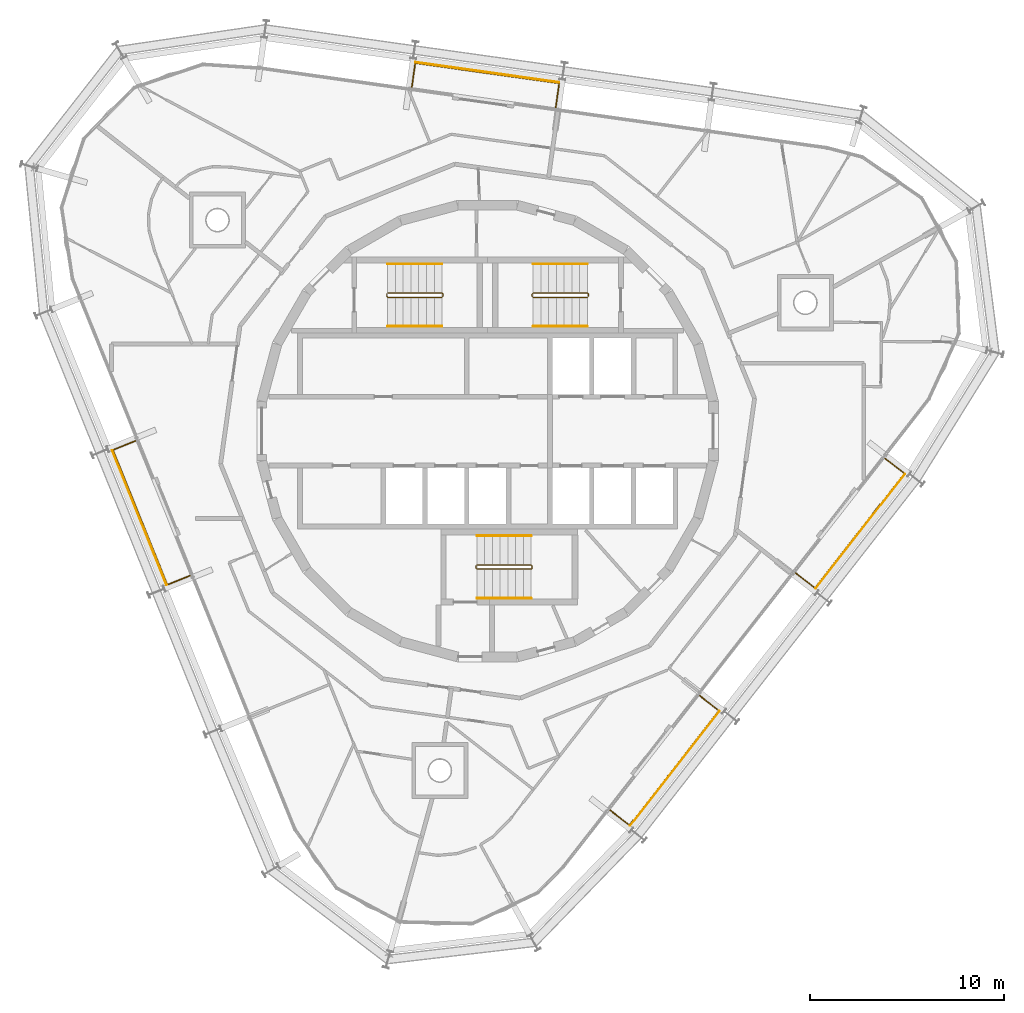
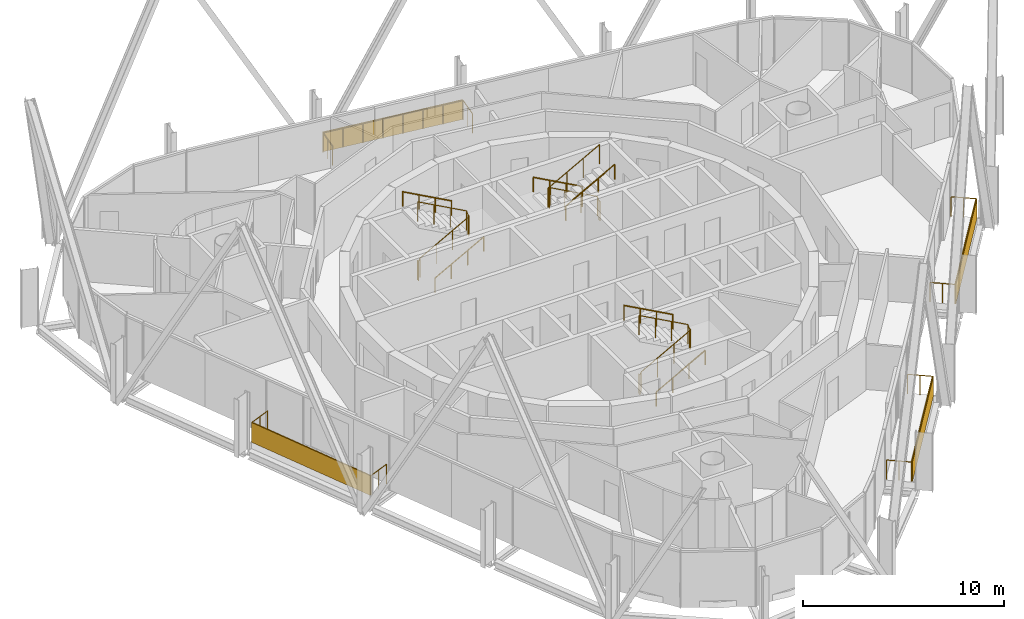
# One storey, part 15 of 15: 13 railings, 4 shading devices.
"""IFC4 building model written with IfcOpenShell, lengths in metres."""

from ifc_helpers import new_model, si_unit, direction, frame, origin, origin_2d, place, context, subcontext, project, spatial, rectangle, circle, extrude, material, layer, layer_set, type_object, element, save


model = new_model("IFC4")

# Units and contexts
model_context = context("Model", 3, precision=1e-05, world=origin(), true_north=direction((0.0, 1.0)))
body_context = subcontext(model_context, "Body", "Model", "MODEL_VIEW")
ifc_project = project(units=[si_unit("LENGTHUNIT", "METRE"), si_unit("AREAUNIT", "SQUARE_METRE"), si_unit("VOLUMEUNIT", "CUBIC_METRE"), si_unit("PLANEANGLEUNIT", "RADIAN"), si_unit("MASSUNIT", "GRAM", prefix="KILO")], contexts=[model_context])

# Site, building, storey
site_placement = place(None, origin())
site = spatial("IfcSite", under=ifc_project, at=site_placement, CompositionType="ELEMENT")
building_placement = place(site_placement, origin())
building = spatial("IfcBuilding", under=site, at=building_placement, Name="Spindle Arch Residences", CompositionType="ELEMENT")
storey_placement = place(building_placement, frame((0.0, 0.0, 347.0)))
storey = spatial("IfcBuildingStorey", under=building, at=storey_placement, Name="L89", CompositionType="ELEMENT", Elevation=347.0)

# Railings
ifc_material_1 = material(Name="Bronze anodised aluminium guard with glass infill", Category="aluminium")
railing_type_1 = type_object("IfcRailingType", Name="Balcony guard 1200", PredefinedType="GUARDRAIL", material=ifc_material_1)
railing_1_placement = place(storey_placement, frame((15.89208984375, -7.317626953125, 0.0)))
element("IfcRailing", 1, at=railing_1_placement, inside=storey, type_object=railing_type_1, Name="Guard L89 bay 1", PredefinedType="GUARDRAIL", context=body_context, shape_type="SweptSolid", body=[
    extrude(circle(Radius=0.02392578125, at=origin_2d()), frame((0.0, 0.0, 1.17578125), z_axis=(0.788056943247, -0.61560235071, 0.0), x_axis=(0.61560235071, 0.788056943247, 0.0)), (0.0, 0.0, 1.0), 1.25),
    extrude(circle(Radius=0.02392578125, at=origin_2d()), frame((0.985107421875, -0.76953125, 1.17578125), z_axis=(0.615668692597, 0.788005114803, 0.0), x_axis=(-0.788005114803, 0.615668692597, 0.0)), (0.0, 0.0, 1.0), 7.49560546875),
    extrude(circle(Radius=0.02392578125, at=origin_2d()), frame((5.599853515625, 5.136962890625, 1.17578125), z_axis=(-0.788056943247, 0.61560235071, 0.0), x_axis=(-0.61560235071, -0.788056943247, 0.0)), (0.0, 0.0, 1.0), 1.25),
    extrude(circle(Radius=0.02099609375, at=origin_2d()), origin(), (0.0, 0.0, 1.0), 1.15185546875),
    extrude(circle(Radius=0.02099609375, at=origin_2d()), frame((0.49267578125, -0.384765625, 0.0)), (0.0, 0.0, 1.0), 1.15185546875),
    extrude(circle(Radius=0.02099609375, at=origin_2d()), frame((0.985107421875, -0.76953125, 0.0)), (0.0, 0.0, 1.0), 1.15185546875),
    extrude(circle(Radius=0.02099609375, at=origin_2d()), frame((1.644287109375, 0.07421875, 0.0)), (0.0, 0.0, 1.0), 1.15185546875),
    extrude(circle(Radius=0.02099609375, at=origin_2d()), frame((2.3037109375, 0.91796875, 0.0)), (0.0, 0.0, 1.0), 1.15185546875),
    extrude(circle(Radius=0.02099609375, at=origin_2d()), frame((2.962890625, 1.76171875, 0.0)), (0.0, 0.0, 1.0), 1.15185546875),
    extrude(circle(Radius=0.02099609375, at=origin_2d()), frame((3.6220703125, 2.605712890625, 0.0)), (0.0, 0.0, 1.0), 1.15185546875),
    extrude(circle(Radius=0.02099609375, at=origin_2d()), frame((4.28125, 3.449462890625, 0.0)), (0.0, 0.0, 1.0), 1.15185546875),
    extrude(circle(Radius=0.02099609375, at=origin_2d()), frame((4.940673828125, 4.293212890625, 0.0)), (0.0, 0.0, 1.0), 1.15185546875),
    extrude(circle(Radius=0.02099609375, at=origin_2d()), frame((5.599853515625, 5.136962890625, 0.0)), (0.0, 0.0, 1.0), 1.15185546875),
    extrude(circle(Radius=0.02099609375, at=origin_2d()), frame((5.107421875, 5.521728515625, 0.0)), (0.0, 0.0, 1.0), 1.15185546875),
    extrude(circle(Radius=0.02099609375, at=origin_2d()), frame((4.61474609375, 5.906494140625, 0.0)), (0.0, 0.0, 1.0), 1.15185546875),
])
railing_2_placement = place(storey_placement, frame((3.517822265625, 16.701416015625, 0.0)))
element("IfcRailing", 2, at=railing_2_placement, inside=storey, type_object=railing_type_1, Name="Guard L89 bay 7", PredefinedType="GUARDRAIL", context=body_context, shape_type="SweptSolid", body=[
    extrude(circle(Radius=0.02392578125, at=origin_2d()), frame((0.0, 0.0, 1.17578125), z_axis=(0.139260816682, 0.990255737139, 0.0), x_axis=(-0.990255737139, 0.139260816682, 0.0)), (0.0, 0.0, 1.0), 1.25),
    extrude(circle(Radius=0.02392578125, at=origin_2d()), frame((0.174072265625, 1.23779296875, 1.17578125), z_axis=(-0.990267453735, 0.139177476887, 0.0), x_axis=(-0.139177476887, -0.990267453735, 0.0)), (0.0, 0.0, 1.0), 7.49560546875),
    extrude(circle(Radius=0.02392578125, at=origin_2d()), frame((-7.24853515625, 2.281005859375, 1.17578125), z_axis=(-0.139260816682, -0.990255737139, 0.0), x_axis=(0.990255737139, -0.139260816682, 0.0)), (0.0, 0.0, 1.0), 1.25),
    extrude(circle(Radius=0.02099609375, at=origin_2d()), origin(), (0.0, 0.0, 1.0), 1.15185546875),
    extrude(circle(Radius=0.02099609375, at=origin_2d()), frame((0.0869140625, 0.618896484375, 0.0)), (0.0, 0.0, 1.0), 1.15185546875),
    extrude(circle(Radius=0.02099609375, at=origin_2d()), frame((0.174072265625, 1.23779296875, 0.0)), (0.0, 0.0, 1.0), 1.15185546875),
    extrude(circle(Radius=0.02099609375, at=origin_2d()), frame((-0.88623046875, 1.38671875, 0.0)), (0.0, 0.0, 1.0), 1.15185546875),
    extrude(circle(Radius=0.02099609375, at=origin_2d()), frame((-1.94677734375, 1.535888671875, 0.0)), (0.0, 0.0, 1.0), 1.15185546875),
    extrude(circle(Radius=0.02099609375, at=origin_2d()), frame((-3.007080078125, 1.684814453125, 0.0)), (0.0, 0.0, 1.0), 1.15185546875),
    extrude(circle(Radius=0.02099609375, at=origin_2d()), frame((-4.0673828125, 1.833984375, 0.0)), (0.0, 0.0, 1.0), 1.15185546875),
    extrude(circle(Radius=0.02099609375, at=origin_2d()), frame((-5.127685546875, 1.98291015625, 0.0)), (0.0, 0.0, 1.0), 1.15185546875),
    extrude(circle(Radius=0.02099609375, at=origin_2d()), frame((-6.188232421875, 2.132080078125, 0.0)), (0.0, 0.0, 1.0), 1.15185546875),
    extrude(circle(Radius=0.02099609375, at=origin_2d()), frame((-7.24853515625, 2.281005859375, 0.0)), (0.0, 0.0, 1.0), 1.15185546875),
    extrude(circle(Radius=0.02099609375, at=origin_2d()), frame((-7.33544921875, 1.662109375, 0.0)), (0.0, 0.0, 1.0), 1.15185546875),
    extrude(circle(Radius=0.02099609375, at=origin_2d()), frame((-7.422607421875, 1.043212890625, 0.0)), (0.0, 0.0, 1.0), 1.15185546875),
])
railing_3_placement = place(storey_placement, frame((-18.162109375, -0.50390625, 0.0)))
element("IfcRailing", 3, at=railing_3_placement, inside=storey, type_object=railing_type_1, Name="Guard L89 bay 13", PredefinedType="GUARDRAIL", context=body_context, shape_type="SweptSolid", body=[
    extrude(circle(Radius=0.02392578125, at=origin_2d()), frame((0.0, 0.0, 1.17578125), z_axis=(-0.927177918056, -0.374621286461, 0.0), x_axis=(0.374621286461, -0.927177918056, 0.0)), (0.0, 0.0, 1.0), 1.25),
    extrude(circle(Radius=0.02392578125, at=origin_2d()), frame((-1.158935546875, -0.46826171875, 1.17578125), z_axis=(0.374594985402, -0.927188544424, 0.0), x_axis=(0.927188544424, 0.374594985402, 0.0)), (0.0, 0.0, 1.0), 7.49560546875),
    extrude(circle(Radius=0.02392578125, at=origin_2d()), frame((1.64892578125, -7.418212890625, 1.17578125), z_axis=(0.927177918056, 0.374621286461, 0.0), x_axis=(-0.374621286461, 0.927177918056, 0.0)), (0.0, 0.0, 1.0), 1.25),
    extrude(circle(Radius=0.02099609375, at=origin_2d()), origin(), (0.0, 0.0, 1.0), 1.15185546875),
    extrude(circle(Radius=0.02099609375, at=origin_2d()), frame((-0.57958984375, -0.234130859375, 0.0)), (0.0, 0.0, 1.0), 1.15185546875),
    extrude(circle(Radius=0.02099609375, at=origin_2d()), frame((-1.158935546875, -0.46826171875, 0.0)), (0.0, 0.0, 1.0), 1.15185546875),
    extrude(circle(Radius=0.02099609375, at=origin_2d()), frame((-0.7578125, -1.461181640625, 0.0)), (0.0, 0.0, 1.0), 1.15185546875),
    extrude(circle(Radius=0.02099609375, at=origin_2d()), frame((-0.356689453125, -2.453857421875, 0.0)), (0.0, 0.0, 1.0), 1.15185546875),
    extrude(circle(Radius=0.02099609375, at=origin_2d()), frame((0.04443359375, -3.44677734375, 0.0)), (0.0, 0.0, 1.0), 1.15185546875),
    extrude(circle(Radius=0.02099609375, at=origin_2d()), frame((0.445556640625, -4.439697265625, 0.0)), (0.0, 0.0, 1.0), 1.15185546875),
    extrude(circle(Radius=0.02099609375, at=origin_2d()), frame((0.8466796875, -5.4326171875, 0.0)), (0.0, 0.0, 1.0), 1.15185546875),
    extrude(circle(Radius=0.02099609375, at=origin_2d()), frame((1.247802734375, -6.42529296875, 0.0)), (0.0, 0.0, 1.0), 1.15185546875),
    extrude(circle(Radius=0.02099609375, at=origin_2d()), frame((1.64892578125, -7.418212890625, 0.0)), (0.0, 0.0, 1.0), 1.15185546875),
    extrude(circle(Radius=0.02099609375, at=origin_2d()), frame((2.228515625, -7.18408203125, 0.0)), (0.0, 0.0, 1.0), 1.15185546875),
    extrude(circle(Radius=0.02099609375, at=origin_2d()), frame((2.807861328125, -6.949951171875, 0.0)), (0.0, 0.0, 1.0), 1.15185546875),
])
railing_4_placement = place(storey_placement, frame((6.330322265625, -19.556396484375, 0.0)))
element("IfcRailing", 4, at=railing_4_placement, inside=storey, type_object=railing_type_1, Name="Guard L89 bay 19", PredefinedType="GUARDRAIL", context=body_context, shape_type="SweptSolid", body=[
    extrude(circle(Radius=0.02392578125, at=origin_2d()), frame((0.0, 0.0, 1.17578125), z_axis=(0.787982912033, -0.615697109254, 0.0), x_axis=(0.615697109254, 0.787982912033, 0.0)), (0.0, 0.0, 1.0), 1.249755859375),
    extrude(circle(Radius=0.02392578125, at=origin_2d()), frame((0.98486328125, -0.76953125, 1.17578125), z_axis=(0.615668692597, 0.788005114803, 0.0), x_axis=(-0.788005114803, 0.615668692597, 0.0)), (0.0, 0.0, 1.0), 7.49560546875),
    extrude(circle(Radius=0.02392578125, at=origin_2d()), frame((5.599609375, 5.136962890625, 1.17578125), z_axis=(-0.787982912033, 0.615697109254, 0.0), x_axis=(-0.615697109254, -0.787982912033, 0.0)), (0.0, 0.0, 1.0), 1.249755859375),
    extrude(circle(Radius=0.02099609375, at=origin_2d()), origin(), (0.0, 0.0, 1.0), 1.15185546875),
    extrude(circle(Radius=0.02099609375, at=origin_2d()), frame((0.492431640625, -0.384765625, 0.0)), (0.0, 0.0, 1.0), 1.15185546875),
    extrude(circle(Radius=0.02099609375, at=origin_2d()), frame((0.98486328125, -0.76953125, 0.0)), (0.0, 0.0, 1.0), 1.15185546875),
    extrude(circle(Radius=0.02099609375, at=origin_2d()), frame((1.64404296875, 0.07421875, 0.0)), (0.0, 0.0, 1.0), 1.15185546875),
    extrude(circle(Radius=0.02099609375, at=origin_2d()), frame((2.303466796875, 0.91796875, 0.0)), (0.0, 0.0, 1.0), 1.15185546875),
    extrude(circle(Radius=0.02099609375, at=origin_2d()), frame((2.962646484375, 1.76171875, 0.0)), (0.0, 0.0, 1.0), 1.15185546875),
    extrude(circle(Radius=0.02099609375, at=origin_2d()), frame((3.621826171875, 2.605712890625, 0.0)), (0.0, 0.0, 1.0), 1.15185546875),
    extrude(circle(Radius=0.02099609375, at=origin_2d()), frame((4.281005859375, 3.449462890625, 0.0)), (0.0, 0.0, 1.0), 1.15185546875),
    extrude(circle(Radius=0.02099609375, at=origin_2d()), frame((4.9404296875, 4.293212890625, 0.0)), (0.0, 0.0, 1.0), 1.15185546875),
    extrude(circle(Radius=0.02099609375, at=origin_2d()), frame((5.599609375, 5.136962890625, 0.0)), (0.0, 0.0, 1.0), 1.15185546875),
    extrude(circle(Radius=0.02099609375, at=origin_2d()), frame((5.107177734375, 5.521728515625, 0.0)), (0.0, 0.0, 1.0), 1.15185546875),
    extrude(circle(Radius=0.02099609375, at=origin_2d()), frame((4.61474609375, 5.906494140625, 0.0)), (0.0, 0.0, 1.0), 1.15185546875),
])

# Shading devices
ifc_material_2 = material(Name="Bronze perforated cobogo screen")
ifc_layer = layer(ifc_material_2, 0.0390625)
ifc_layer_set = layer_set([ifc_layer], Name="Cobogo screen 1200")
shading_device_type = type_object("IfcShadingDeviceType", Name="Cobogo screen 1200", PredefinedType="USERDEFINED", material=ifc_layer_set)
for number, where, z_axis, x_axis, name in (
    (5, (19.216552734375, -5.158935546875, 0.0), (0.0, 0.0, 1.0), (0.615661475326, 0.788010753607, 0.0), "Cobogo screen L89 bay 1"),
    (6, (-0.013916015625, 18.5009765625, 0.0), (0.0, 0.0, 1.0), (-0.990268068742, 0.13917310096, 0.0), "Cobogo screen L89 bay 7"),
    (7, (-17.95458984375, -4.46240234375, 0.0), (0.0, 0.0, 1.0), (0.374606593416, -0.927183854567, 0.0), "Cobogo screen L89 bay 13"),
    (8, (9.654541015625, -17.397705078125, 0.0), (0.0, 0.0, 1.0), (0.615661475326, 0.788010753607, 0.0), "Cobogo screen L89 bay 19"),
):
    element("IfcShadingDevice", number, at=place(storey_placement, frame(where, z_axis=z_axis, x_axis=x_axis)), inside=storey, type_object=shading_device_type, Name=name, ObjectType="SCREEN", PredefinedType="USERDEFINED", context=body_context, shape_type="SweptSolid", body=[
        extrude(rectangle(XDim=7.49560546875, YDim=0.0390625, at=origin_2d()), origin(), (0.0, 0.0, 1.0), 1.199951171875),
    ])

# Railings
ifc_material_3 = material(Name="Steel, painted", Category="steel")
railing_type_2 = type_object("IfcRailingType", Name="Stair guard 1100", PredefinedType="GUARDRAIL", material=ifc_material_3)
railing_5_placement = place(storey_placement, frame((5.14990234375, 6.89990234375, 3.5)))
element("IfcRailing", 9, at=railing_5_placement, inside=storey, type_object=railing_type_2, Name="L89 ST1 stair guard 1", PredefinedType="GUARDRAIL", context=body_context, shape_type="SweptSolid", body=[
    extrude(circle(Radius=0.02392578125, at=origin_2d()), frame((0.0, 0.0, 1.17578125), z_axis=(-0.877357048833, 0.0, -0.479838106931), x_axis=(0.0, -1.0, 0.0)), (0.0, 0.0, 1.0), 3.191162109375),
    extrude(circle(Radius=0.02392578125, at=origin_2d()), frame((-2.7998046875, 0.0, -0.35546875), z_axis=(-0.217683172539, 0.217683172539, -0.951434744366), x_axis=(-0.707106781187, -0.707106781187, 0.0)), (0.0, 0.0, 1.0), 0.22998046875),
    extrude(circle(Radius=0.02392578125, at=origin_2d()), frame((-2.849853515625, 0.050048828125, -0.57421875), z_axis=(0.0, 1.0, 0.0), x_axis=(-1.0, 0.0, 0.0)), (0.0, 0.0, 1.0), 0.1201171875),
    extrude(circle(Radius=0.02392578125, at=origin_2d()), frame((-2.849853515625, 0.170166015625, -0.57421875), z_axis=(0.707106781187, 0.707106781187, 0.0), x_axis=(-0.707106781187, 0.707106781187, 0.0)), (0.0, 0.0, 1.0), 0.07080078125),
    extrude(circle(Radius=0.02392578125, at=origin_2d()), frame((-2.7998046875, 0.22021484375, -0.57421875), z_axis=(0.877357048833, 0.0, -0.479838106931), x_axis=(0.0, 1.0, 0.0)), (0.0, 0.0, 1.0), 3.191162109375),
    extrude(circle(Radius=0.02392578125, at=origin_2d()), frame((0.0, 0.22021484375, -2.10546875), z_axis=(0.217683172539, -0.217683172539, -0.951434744366), x_axis=(0.707106781187, 0.707106781187, 0.0)), (0.0, 0.0, 1.0), 0.22998046875),
    extrude(circle(Radius=0.02392578125, at=origin_2d()), frame((0.050048828125, 0.170166015625, -2.32421875), z_axis=(0.0, -1.0, 0.0), x_axis=(1.0, 0.0, 0.0)), (0.0, 0.0, 1.0), 0.1201171875),
    extrude(circle(Radius=0.02099609375, at=origin_2d()), origin(), (0.0, 0.0, 1.0), 1.15185546875),
    extrude(circle(Radius=0.02099609375, at=origin_2d()), frame((-0.933349609375, 0.0, -0.510498046875)), (0.0, 0.0, 1.0), 1.15185546875),
    extrude(circle(Radius=0.02099609375, at=origin_2d()), frame((-1.866455078125, 0.0, -1.020751953125)), (0.0, 0.0, 1.0), 1.15185546875),
    extrude(circle(Radius=0.02099609375, at=origin_2d()), frame((-2.7998046875, 0.0, -1.53125)), (0.0, 0.0, 1.0), 1.15185546875),
    extrude(circle(Radius=0.02099609375, at=origin_2d()), frame((-2.849853515625, 0.050048828125, -1.75)), (0.0, 0.0, 1.0), 1.15185546875),
    extrude(circle(Radius=0.02099609375, at=origin_2d()), frame((-2.849853515625, 0.170166015625, -1.75)), (0.0, 0.0, 1.0), 1.15185546875),
    extrude(circle(Radius=0.02099609375, at=origin_2d()), frame((-2.7998046875, 0.22021484375, -1.75)), (0.0, 0.0, 1.0), 1.15185546875),
    extrude(circle(Radius=0.02099609375, at=origin_2d()), frame((-1.866455078125, 0.22021484375, -2.260498046875)), (0.0, 0.0, 1.0), 1.15185546875),
    extrude(circle(Radius=0.02099609375, at=origin_2d()), frame((-0.933349609375, 0.22021484375, -2.770751953125)), (0.0, 0.0, 1.0), 1.15185546875),
    extrude(circle(Radius=0.02099609375, at=origin_2d()), frame((0.0, 0.22021484375, -3.28125)), (0.0, 0.0, 1.0), 1.15185546875),
    extrude(circle(Radius=0.02099609375, at=origin_2d()), frame((0.050048828125, 0.170166015625, -3.5)), (0.0, 0.0, 1.0), 1.15185546875),
    extrude(circle(Radius=0.02099609375, at=origin_2d()), frame((0.050048828125, 0.050048828125, -3.5)), (0.0, 0.0, 1.0), 1.15185546875),
])
railing_6_placement = place(storey_placement, frame((-5.14990234375, 7.1201171875, 3.5)))
element("IfcRailing", 10, at=railing_6_placement, inside=storey, type_object=railing_type_2, Name="L89 ST2 stair guard 1", PredefinedType="GUARDRAIL", context=body_context, shape_type="SweptSolid", body=[
    extrude(circle(Radius=0.02392578125, at=origin_2d()), frame((0.0, 0.0, 1.17578125), z_axis=(0.877357048833, 0.0, -0.479838106931), x_axis=(0.0, 1.0, 0.0)), (0.0, 0.0, 1.0), 3.191162109375),
    extrude(circle(Radius=0.02392578125, at=origin_2d()), frame((2.7998046875, 0.0, -0.35546875), z_axis=(0.217683172539, -0.217683172539, -0.951434744366), x_axis=(0.707106781187, 0.707106781187, 0.0)), (0.0, 0.0, 1.0), 0.22998046875),
    extrude(circle(Radius=0.02392578125, at=origin_2d()), frame((2.849853515625, -0.050048828125, -0.57421875), z_axis=(0.0, -1.0, 0.0), x_axis=(1.0, 0.0, 0.0)), (0.0, 0.0, 1.0), 0.1201171875),
    extrude(circle(Radius=0.02392578125, at=origin_2d()), frame((2.849853515625, -0.170166015625, -0.57421875), z_axis=(-0.707106781187, -0.707106781187, 0.0), x_axis=(0.707106781187, -0.707106781187, 0.0)), (0.0, 0.0, 1.0), 0.07080078125),
    extrude(circle(Radius=0.02392578125, at=origin_2d()), frame((2.7998046875, -0.22021484375, -0.57421875), z_axis=(-0.877357048833, 0.0, -0.479838106931), x_axis=(0.0, -1.0, 0.0)), (0.0, 0.0, 1.0), 3.191162109375),
    extrude(circle(Radius=0.02392578125, at=origin_2d()), frame((0.0, -0.22021484375, -2.10546875), z_axis=(-0.217683172539, 0.217683172539, -0.951434744366), x_axis=(-0.707106781187, -0.707106781187, 0.0)), (0.0, 0.0, 1.0), 0.22998046875),
    extrude(circle(Radius=0.02392578125, at=origin_2d()), frame((-0.050048828125, -0.170166015625, -2.32421875), z_axis=(0.0, 1.0, 0.0), x_axis=(-1.0, 0.0, 0.0)), (0.0, 0.0, 1.0), 0.1201171875),
    extrude(circle(Radius=0.02099609375, at=origin_2d()), origin(), (0.0, 0.0, 1.0), 1.15185546875),
    extrude(circle(Radius=0.02099609375, at=origin_2d()), frame((0.933349609375, 0.0, -0.510498046875)), (0.0, 0.0, 1.0), 1.15185546875),
    extrude(circle(Radius=0.02099609375, at=origin_2d()), frame((1.866455078125, 0.0, -1.020751953125)), (0.0, 0.0, 1.0), 1.15185546875),
    extrude(circle(Radius=0.02099609375, at=origin_2d()), frame((2.7998046875, 0.0, -1.53125)), (0.0, 0.0, 1.0), 1.15185546875),
    extrude(circle(Radius=0.02099609375, at=origin_2d()), frame((2.849853515625, -0.050048828125, -1.75)), (0.0, 0.0, 1.0), 1.15185546875),
    extrude(circle(Radius=0.02099609375, at=origin_2d()), frame((2.849853515625, -0.170166015625, -1.75)), (0.0, 0.0, 1.0), 1.15185546875),
    extrude(circle(Radius=0.02099609375, at=origin_2d()), frame((2.7998046875, -0.22021484375, -1.75)), (0.0, 0.0, 1.0), 1.15185546875),
    extrude(circle(Radius=0.02099609375, at=origin_2d()), frame((1.866455078125, -0.22021484375, -2.260498046875)), (0.0, 0.0, 1.0), 1.15185546875),
    extrude(circle(Radius=0.02099609375, at=origin_2d()), frame((0.933349609375, -0.22021484375, -2.770751953125)), (0.0, 0.0, 1.0), 1.15185546875),
    extrude(circle(Radius=0.02099609375, at=origin_2d()), frame((0.0, -0.22021484375, -3.28125)), (0.0, 0.0, 1.0), 1.15185546875),
    extrude(circle(Radius=0.02099609375, at=origin_2d()), frame((-0.050048828125, -0.170166015625, -3.5)), (0.0, 0.0, 1.0), 1.15185546875),
    extrude(circle(Radius=0.02099609375, at=origin_2d()), frame((-0.050048828125, -0.050048828125, -3.5)), (0.0, 0.0, 1.0), 1.15185546875),
])
railing_7_placement = place(storey_placement, frame((-0.550048828125, -6.89990234375, 3.5)))
element("IfcRailing", 11, at=railing_7_placement, inside=storey, type_object=railing_type_2, Name="L89 ST3 stair guard 1", PredefinedType="GUARDRAIL", context=body_context, shape_type="SweptSolid", body=[
    extrude(circle(Radius=0.02392578125, at=origin_2d()), frame((0.0, 0.0, 1.17578125), z_axis=(0.877374661878, 0.0, -0.479805901063), x_axis=(0.0, 1.0, 0.0)), (0.0, 0.0, 1.0), 3.19140625),
    extrude(circle(Radius=0.02392578125, at=origin_2d()), frame((2.800048828125, 0.0, -0.35546875), z_axis=(0.217683172539, -0.217683172539, -0.951434744366), x_axis=(0.707106781187, 0.707106781187, 0.0)), (0.0, 0.0, 1.0), 0.22998046875),
    extrude(circle(Radius=0.02392578125, at=origin_2d()), frame((2.85009765625, -0.050048828125, -0.57421875), z_axis=(0.0, -1.0, 0.0), x_axis=(1.0, 0.0, 0.0)), (0.0, 0.0, 1.0), 0.1201171875),
    extrude(circle(Radius=0.02392578125, at=origin_2d()), frame((2.85009765625, -0.170166015625, -0.57421875), z_axis=(-0.707106781187, -0.707106781187, 0.0), x_axis=(0.707106781187, -0.707106781187, 0.0)), (0.0, 0.0, 1.0), 0.07080078125),
    extrude(circle(Radius=0.02392578125, at=origin_2d()), frame((2.800048828125, -0.22021484375, -0.57421875), z_axis=(-0.877374661878, 0.0, -0.479805901063), x_axis=(0.0, -1.0, 0.0)), (0.0, 0.0, 1.0), 3.19140625),
    extrude(circle(Radius=0.02392578125, at=origin_2d()), frame((0.0, -0.22021484375, -2.10546875), z_axis=(-0.217683172539, 0.217683172539, -0.951434744366), x_axis=(-0.707106781187, -0.707106781187, 0.0)), (0.0, 0.0, 1.0), 0.22998046875),
    extrude(circle(Radius=0.02392578125, at=origin_2d()), frame((-0.050048828125, -0.170166015625, -2.32421875), z_axis=(0.0, 1.0, 0.0), x_axis=(-1.0, 0.0, 0.0)), (0.0, 0.0, 1.0), 0.1201171875),
    extrude(circle(Radius=0.02099609375, at=origin_2d()), origin(), (0.0, 0.0, 1.0), 1.15185546875),
    extrude(circle(Radius=0.02099609375, at=origin_2d()), frame((0.933349609375, 0.0, -0.510498046875)), (0.0, 0.0, 1.0), 1.15185546875),
    extrude(circle(Radius=0.02099609375, at=origin_2d()), frame((1.86669921875, 0.0, -1.020751953125)), (0.0, 0.0, 1.0), 1.15185546875),
    extrude(circle(Radius=0.02099609375, at=origin_2d()), frame((2.800048828125, 0.0, -1.53125)), (0.0, 0.0, 1.0), 1.15185546875),
    extrude(circle(Radius=0.02099609375, at=origin_2d()), frame((2.85009765625, -0.050048828125, -1.75)), (0.0, 0.0, 1.0), 1.15185546875),
    extrude(circle(Radius=0.02099609375, at=origin_2d()), frame((2.85009765625, -0.170166015625, -1.75)), (0.0, 0.0, 1.0), 1.15185546875),
    extrude(circle(Radius=0.02099609375, at=origin_2d()), frame((2.800048828125, -0.22021484375, -1.75)), (0.0, 0.0, 1.0), 1.15185546875),
    extrude(circle(Radius=0.02099609375, at=origin_2d()), frame((1.86669921875, -0.22021484375, -2.260498046875)), (0.0, 0.0, 1.0), 1.15185546875),
    extrude(circle(Radius=0.02099609375, at=origin_2d()), frame((0.933349609375, -0.22021484375, -2.770751953125)), (0.0, 0.0, 1.0), 1.15185546875),
    extrude(circle(Radius=0.02099609375, at=origin_2d()), frame((0.0, -0.22021484375, -3.28125)), (0.0, 0.0, 1.0), 1.15185546875),
    extrude(circle(Radius=0.02099609375, at=origin_2d()), frame((-0.050048828125, -0.170166015625, -3.5)), (0.0, 0.0, 1.0), 1.15185546875),
    extrude(circle(Radius=0.02099609375, at=origin_2d()), frame((-0.050048828125, -0.050048828125, -3.5)), (0.0, 0.0, 1.0), 1.15185546875),
])
ifc_material_4 = material(Name="Steel, painted", Category="steel")
railing_type_3 = type_object("IfcRailingType", Name="Stair handrail 900", PredefinedType="HANDRAIL", material=ifc_material_4)
railing_8_placement = place(storey_placement, frame((5.14990234375, 8.6201171875, 0.21875)))
element("IfcRailing", 12, at=railing_8_placement, inside=storey, type_object=railing_type_3, Name="L89 ST1 stair handrail 1", PredefinedType="HANDRAIL", context=body_context, shape_type="SweptSolid", body=[
    extrude(circle(Radius=0.02392578125, at=origin_2d()), frame((0.0, 0.0, 0.8759765625), z_axis=(-0.877357048833, 0.0, 0.479838106931), x_axis=(0.0, -1.0, 0.0)), (0.0, 0.0, 1.0), 3.191162109375),
    extrude(circle(Radius=0.02099609375, at=origin_2d()), origin(), (0.0, 0.0, 1.0), 0.851806640625),
    extrude(circle(Radius=0.02099609375, at=origin_2d()), frame((-0.933349609375, 0.0, 0.510498046875)), (0.0, 0.0, 1.0), 0.851806640625),
    extrude(circle(Radius=0.02099609375, at=origin_2d()), frame((-1.866455078125, 0.0, 1.020751953125)), (0.0, 0.0, 1.0), 0.851806640625),
    extrude(circle(Radius=0.02099609375, at=origin_2d()), frame((-2.7998046875, 0.0, 1.53125)), (0.0, 0.0, 1.0), 0.851806640625),
])
for number, where, name in (
    (13, (2.35009765625, 5.39990234375, 1.96875), "L89 ST1 stair handrail 2"),
    (14, (-5.14990234375, 5.39990234375, 0.21875), "L89 ST2 stair handrail 1"),
):
    element("IfcRailing", number, at=place(storey_placement, frame(where)), inside=storey, type_object=railing_type_3, Name=name, PredefinedType="HANDRAIL", context=body_context, shape_type="SweptSolid", body=[
        extrude(circle(Radius=0.02392578125, at=origin_2d()), frame((0.0, 0.0, 0.8759765625), z_axis=(0.877357048833, 0.0, 0.479838106931), x_axis=(0.0, 1.0, 0.0)), (0.0, 0.0, 1.0), 3.191162109375),
        extrude(circle(Radius=0.02099609375, at=origin_2d()), origin(), (0.0, 0.0, 1.0), 0.851806640625),
        extrude(circle(Radius=0.02099609375, at=origin_2d()), frame((0.933349609375, 0.0, 0.510498046875)), (0.0, 0.0, 1.0), 0.851806640625),
        extrude(circle(Radius=0.02099609375, at=origin_2d()), frame((1.866455078125, 0.0, 1.020751953125)), (0.0, 0.0, 1.0), 0.851806640625),
        extrude(circle(Radius=0.02099609375, at=origin_2d()), frame((2.7998046875, 0.0, 1.53125)), (0.0, 0.0, 1.0), 0.851806640625),
    ])
railing_9_placement = place(storey_placement, frame((-2.35009765625, 8.6201171875, 1.96875)))
element("IfcRailing", 15, at=railing_9_placement, inside=storey, type_object=railing_type_3, Name="L89 ST2 stair handrail 2", PredefinedType="HANDRAIL", context=body_context, shape_type="SweptSolid", body=[
    extrude(circle(Radius=0.02392578125, at=origin_2d()), frame((0.0, 0.0, 0.8759765625), z_axis=(-0.877357048833, 0.0, 0.479838106931), x_axis=(0.0, -1.0, 0.0)), (0.0, 0.0, 1.0), 3.191162109375),
    extrude(circle(Radius=0.02099609375, at=origin_2d()), origin(), (0.0, 0.0, 1.0), 0.851806640625),
    extrude(circle(Radius=0.02099609375, at=origin_2d()), frame((-0.933349609375, 0.0, 0.510498046875)), (0.0, 0.0, 1.0), 0.851806640625),
    extrude(circle(Radius=0.02099609375, at=origin_2d()), frame((-1.866455078125, 0.0, 1.020751953125)), (0.0, 0.0, 1.0), 0.851806640625),
    extrude(circle(Radius=0.02099609375, at=origin_2d()), frame((-2.7998046875, 0.0, 1.53125)), (0.0, 0.0, 1.0), 0.851806640625),
])
railing_10_placement = place(storey_placement, frame((-0.550048828125, -8.6201171875, 0.21875)))
element("IfcRailing", 16, at=railing_10_placement, inside=storey, type_object=railing_type_3, Name="L89 ST3 stair handrail 1", PredefinedType="HANDRAIL", context=body_context, shape_type="SweptSolid", body=[
    extrude(circle(Radius=0.02392578125, at=origin_2d()), frame((0.0, 0.0, 0.8759765625), z_axis=(0.877374661878, 0.0, 0.479805901063), x_axis=(0.0, 1.0, 0.0)), (0.0, 0.0, 1.0), 3.19140625),
    extrude(circle(Radius=0.02099609375, at=origin_2d()), origin(), (0.0, 0.0, 1.0), 0.851806640625),
    extrude(circle(Radius=0.02099609375, at=origin_2d()), frame((0.933349609375, 0.0, 0.510498046875)), (0.0, 0.0, 1.0), 0.851806640625),
    extrude(circle(Radius=0.02099609375, at=origin_2d()), frame((1.86669921875, 0.0, 1.020751953125)), (0.0, 0.0, 1.0), 0.851806640625),
    extrude(circle(Radius=0.02099609375, at=origin_2d()), frame((2.800048828125, 0.0, 1.53125)), (0.0, 0.0, 1.0), 0.851806640625),
])
railing_11_placement = place(storey_placement, frame((2.25, -5.39990234375, 1.96875)))
element("IfcRailing", 17, at=railing_11_placement, inside=storey, type_object=railing_type_3, Name="L89 ST3 stair handrail 2", PredefinedType="HANDRAIL", context=body_context, shape_type="SweptSolid", body=[
    extrude(circle(Radius=0.02392578125, at=origin_2d()), frame((0.0, 0.0, 0.8759765625), z_axis=(-0.877374661878, 0.0, 0.479805901063), x_axis=(0.0, -1.0, 0.0)), (0.0, 0.0, 1.0), 3.19140625),
    extrude(circle(Radius=0.02099609375, at=origin_2d()), origin(), (0.0, 0.0, 1.0), 0.851806640625),
    extrude(circle(Radius=0.02099609375, at=origin_2d()), frame((-0.933349609375, 0.0, 0.510498046875)), (0.0, 0.0, 1.0), 0.851806640625),
    extrude(circle(Radius=0.02099609375, at=origin_2d()), frame((-1.86669921875, 0.0, 1.020751953125)), (0.0, 0.0, 1.0), 0.851806640625),
    extrude(circle(Radius=0.02099609375, at=origin_2d()), frame((-2.800048828125, 0.0, 1.53125)), (0.0, 0.0, 1.0), 0.851806640625),
])

save(model, "model.ifc")
